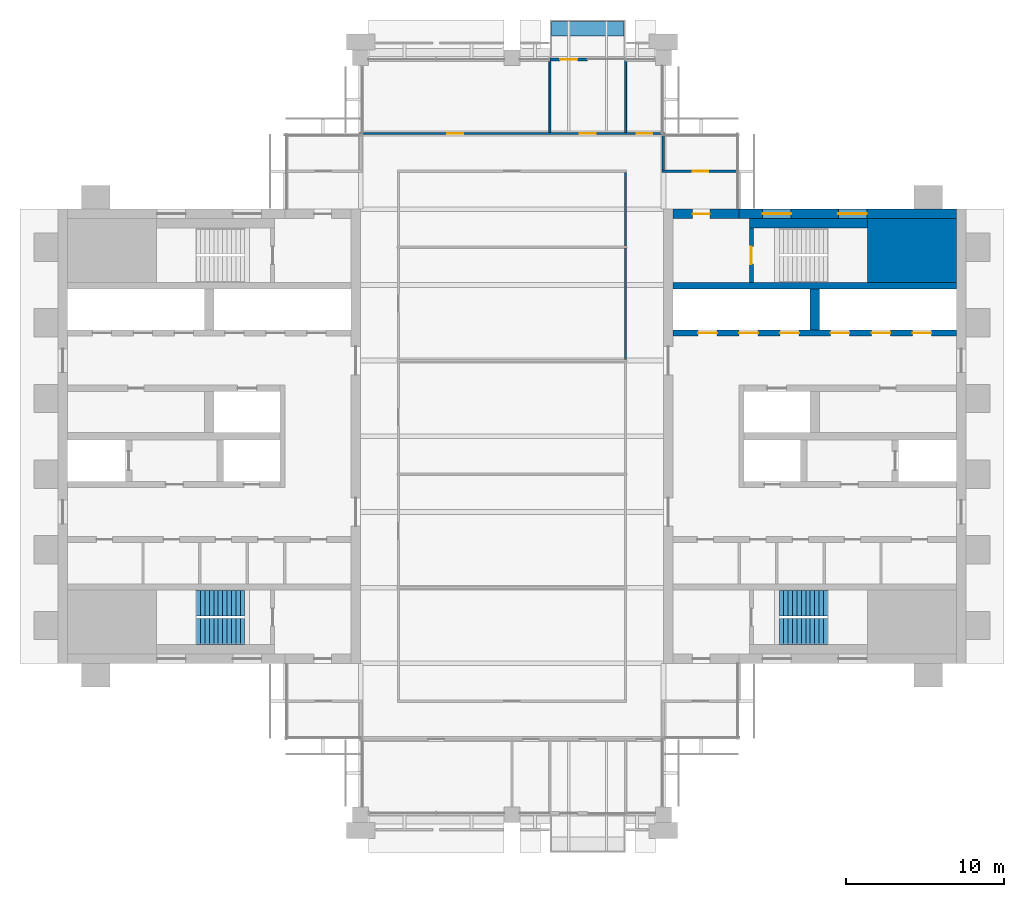
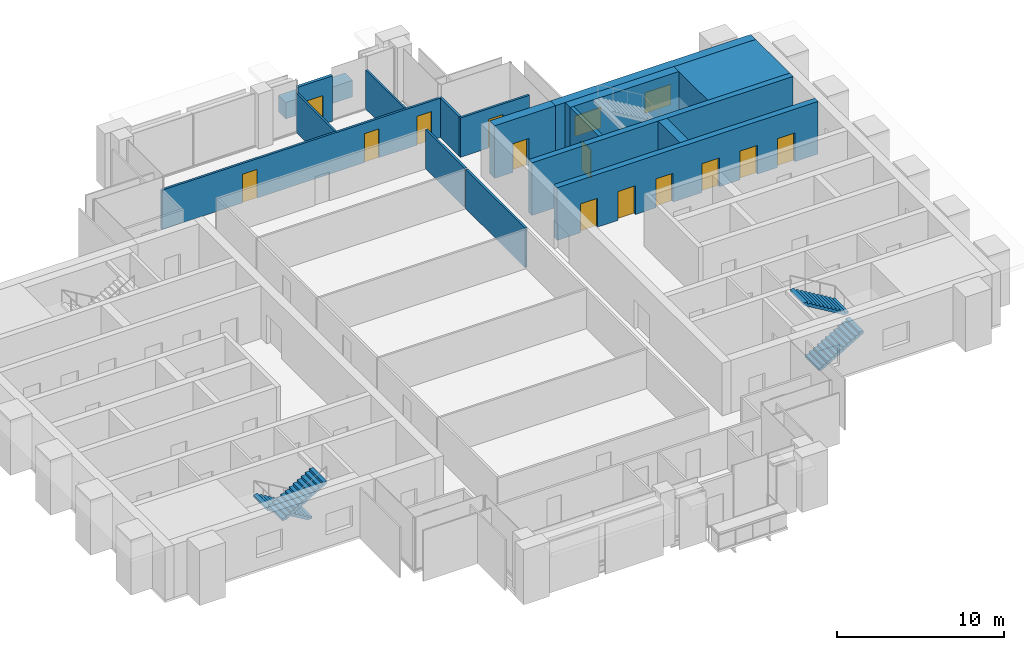
# One storey, part 11 of 13: 17 walls, 13 doors, 4 stair flights, 2 windows, 15 openings, 2 elements without a shape of their own.
"""IFC4 building model written with IfcOpenShell, lengths in metres."""

from ifc_helpers import new_model, si_unit, direction, frame, frame_2d, origin, place, context, subcontext, project, spatial, polyline, rectangle, outline, extrude, material, layer, layer_set, type_object, element, fill, aggregate, save


model = new_model("IFC4")

# Units and contexts
model_context = context("Model", 3, precision=1e-05, world=origin(), true_north=direction((0.0, 1.0)))
body_context = subcontext(model_context, "Body", "Model", "MODEL_VIEW")
ifc_project = project(units=[si_unit("LENGTHUNIT", "METRE"), si_unit("AREAUNIT", "SQUARE_METRE"), si_unit("VOLUMEUNIT", "CUBIC_METRE"), si_unit("PLANEANGLEUNIT", "RADIAN"), si_unit("MASSUNIT", "GRAM", prefix="KILO")], contexts=[model_context])

# Site, building, storey
site_placement = place(None, origin())
site = spatial("IfcSite", under=ifc_project, at=site_placement, CompositionType="ELEMENT")
building_placement = place(site_placement, origin())
building = spatial("IfcBuilding", under=site, at=building_placement, Name="Baori Bourse Tower", CompositionType="ELEMENT")
storey_placement = place(building_placement, frame((0.0, 0.0, 326.300048828125)))
storey = spatial("IfcBuildingStorey", under=building, at=storey_placement, Name="L72", CompositionType="ELEMENT", Elevation=326.300048828125)

# Wall
ifc_material_1 = material(Name="Concrete f'c 40 MPa", Category="concrete")
wall_type_1 = type_object("IfcWallType", Name="Core corner block f'c 40", PredefinedType="SHEAR", material=ifc_material_1)
wall_1_placement = place(storey_placement, frame((51.35009765625, 35.77490234375, 0.0), z_axis=(0.0, 0.0, 1.0), x_axis=(1.0, 0.0, 0.0)))
element("IfcWall", 1, at=wall_1_placement, inside=storey, type_object=wall_type_1, Name="Core wall E24", PredefinedType="SHEAR", context=body_context, shape_type="SweptSolid", body=[
    extrude(rectangle(XDim=5.64990234375, YDim=4.050048828125, at=frame_2d((2.824951171875, 0.0))), origin(), (0.0, 0.0, 1.0), 3.83984375),
])

# Wall, openings, windows
ifc_material_2 = material(Name="Concrete f'c 40 MPa", Category="concrete")
ifc_layer_1 = layer(ifc_material_2, 0.60009765625)
ifc_layer_set_1 = layer_set([ifc_layer_1], Name="Core wall 600 f'c 40")
wall_type_2 = type_object("IfcWallType", Name="Core wall 600 f'c 40", PredefinedType="SHEAR", material=ifc_layer_set_1)
wall_2_placement = place(storey_placement, frame((43.199951171875, 38.10009765625, 0.0), z_axis=(0.0, 0.0, 1.0), x_axis=(1.0, 0.0, 0.0)))
wall_2 = element("IfcWall", 2, at=wall_2_placement, inside=storey, type_object=wall_type_2, Name="Core wall E27", PredefinedType="SHEAR", context=body_context, shape_type="SweptSolid", body=[
    extrude(rectangle(XDim=13.800048828125, YDim=0.60009765625, at=frame_2d((6.89990234375, 0.0))), origin(), (0.0, 0.0, 1.0), 3.83984375),
])
opening_1_placement = place(wall_2_placement, frame((6.300048828125, 0.0, 0.89990234375)))
opening_1 = element("IfcOpeningElement", 3, at=opening_1_placement, cuts=wall_2, Name="Opening L72-KW205", PredefinedType="OPENING", context=body_context, shape_type="SweptSolid", body=[
    extrude(rectangle(XDim=1.800048828125, YDim=1.5, at=frame_2d((0.89990234375, 0.75))), frame((0.0, 0.31005859375, 0.0), z_axis=(0.0, -1.0, 0.0), x_axis=(1.0, 0.0, 0.0)), (0.0, 0.0, 1.0), 0.6201171875),
])
opening_2_placement = place(wall_2_placement, frame((1.5, 0.0, 0.89990234375)))
opening_2 = element("IfcOpeningElement", 4, at=opening_2_placement, cuts=wall_2, Name="Opening L72-KW206", PredefinedType="OPENING", context=body_context, shape_type="SweptSolid", body=[
    extrude(rectangle(XDim=1.800048828125, YDim=1.5, at=frame_2d((0.89990234375, 0.75))), frame((0.0, 0.31005859375, 0.0), z_axis=(0.0, -1.0, 0.0), x_axis=(1.0, 0.0, 0.0)), (0.0, 0.0, 1.0), 0.6201171875),
])
ifc_material_3 = material(Name="Pale anodised aluminium", Category="aluminium")
window_type = type_object("IfcWindowType", Name="Stair window 1800 x 1500", PartitioningType="SINGLE_PANEL", PredefinedType="WINDOW", material=ifc_material_3)
window_1_placement = place(opening_1_placement, origin())
window_1 = element("IfcWindow", 5, at=window_1_placement, inside=storey, type_object=window_type, Name="Stair window E L72 5", OverallHeight=1.5, OverallWidth=1.800048828125, PartitioningType="SINGLE_PANEL", PredefinedType="WINDOW", context=body_context, shape_type="SweptSolid", body=[
    extrude(rectangle(XDim=1.800048828125, YDim=1.5, at=frame_2d((0.89990234375, 0.75))), frame((0.0, 0.030029296875, 0.0), z_axis=(0.0, -1.0, 0.0), x_axis=(1.0, 0.0, 0.0)), (0.0, 0.0, 1.0), 0.06005859375),
])
fill(opening_1, window_1)
window_2_placement = place(opening_2_placement, origin())
window_2 = element("IfcWindow", 6, at=window_2_placement, inside=storey, type_object=window_type, Name="Stair window E L72 6", OverallHeight=1.5, OverallWidth=1.800048828125, PartitioningType="SINGLE_PANEL", PredefinedType="WINDOW", context=body_context, shape_type="SweptSolid", body=[
    extrude(rectangle(XDim=1.800048828125, YDim=1.5, at=frame_2d((0.89990234375, 0.75))), frame((0.0, 0.030029296875, 0.0), z_axis=(0.0, -1.0, 0.0), x_axis=(1.0, 0.0, 0.0)), (0.0, 0.0, 1.0), 0.06005859375),
])
fill(opening_2, window_2)

# Wall, opening, door
wall_3_placement = place(storey_placement, frame((39.0, 38.10009765625, 0.0), z_axis=(0.0, 0.0, 1.0), x_axis=(1.0, 0.0, 0.0)))
wall_3 = element("IfcWall", 7, at=wall_3_placement, inside=storey, type_object=wall_type_2, Name="Core wall E28", PredefinedType="SHEAR", context=body_context, shape_type="SweptSolid", body=[
    extrude(rectangle(XDim=4.199951171875, YDim=0.60009765625, at=frame_2d((2.10009765625, 0.0))), origin(), (0.0, 0.0, 1.0), 3.83984375),
])
opening_3_placement = place(wall_3_placement, frame((1.25, 0.0, 0.0)))
opening_3 = element("IfcOpeningElement", 8, at=opening_3_placement, cuts=wall_3, Name="Opening L72-D204", PredefinedType="OPENING", context=body_context, shape_type="SweptSolid", body=[
    extrude(rectangle(XDim=1.10009765625, YDim=2.10009765625, at=frame_2d((0.550048828125, 1.050048828125))), frame((0.0, 0.31005859375, 0.0), z_axis=(0.0, -1.0, 0.0), x_axis=(1.0, 0.0, 0.0)), (0.0, 0.0, 1.0), 0.6201171875),
])
ifc_material_4 = material(Name="Painted steel door", Category="steel")
door_type_1 = type_object("IfcDoorType", Name="Stair door 1100", OperationType="SINGLE_SWING_LEFT", PredefinedType="DOOR", material=ifc_material_4)
door_1_placement = place(opening_3_placement, origin())
door_1 = element("IfcDoor", 9, at=door_1_placement, inside=storey, type_object=door_type_1, Name="Stair vestibule door B E L72", OperationType="SINGLE_SWING_LEFT", OverallHeight=2.10009765625, OverallWidth=1.10009765625, PredefinedType="DOOR", context=body_context, shape_type="SweptSolid", body=[
    extrude(rectangle(XDim=1.10009765625, YDim=2.10009765625, at=frame_2d((0.550048828125, 1.050048828125))), frame((0.0, 0.02490234375, 0.0), z_axis=(0.0, -1.0, 0.0), x_axis=(1.0, 0.0, 0.0)), (0.0, 0.0, 1.0), 0.050048828125),
])
fill(opening_3, door_1)

ifc_material_5 = material(Name="Gypsum board partition")
ifc_layer_2 = layer(ifc_material_5, 0.14990234375)
ifc_layer_set_2 = layer_set([ifc_layer_2], Name="Corridor partition 150")
wall_type_3 = type_object("IfcWallType", Name="Corridor partition 150", PredefinedType="PARTITIONING", material=ifc_layer_set_2)
wall_4_placement = place(storey_placement, frame((38.324951171875, 40.800048828125, 0.0), z_axis=(0.0, 0.0, 1.0), x_axis=(1.0, 0.0, 0.0)))
wall_4 = element("IfcWall", 10, at=wall_4_placement, inside=storey, type_object=wall_type_3, Name="Partition", PredefinedType="PARTITIONING", context=body_context, shape_type="SweptSolid", body=[
    extrude(rectangle(XDim=4.775146484375, YDim=0.14990234375, at=frame_2d((2.3876953125, 0.0))), origin(), (0.0, 0.0, 1.0), 2.86962890625),
])
opening_4_placement = place(wall_4_placement, frame((1.925048828125, 0.0, 0.0)))
opening_4 = element("IfcOpeningElement", 11, at=opening_4_placement, cuts=wall_4, Name="Opening L72-D10", PredefinedType="OPENING", context=body_context, shape_type="SweptSolid", body=[
    extrude(rectangle(XDim=1.0, YDim=2.10009765625, at=frame_2d((0.5, 1.050048828125))), frame((0.0, 0.0849609375, 0.0), z_axis=(0.0, -1.0, 0.0), x_axis=(1.0, 0.0, 0.0)), (0.0, 0.0, 1.0), 0.169921875),
])
ifc_material_6 = material(Name="Timber door leaf", Category="wood")
door_type_2 = type_object("IfcDoorType", Name="Door 1000 x 2100", OperationType="SINGLE_SWING_LEFT", PredefinedType="DOOR", material=ifc_material_6)
door_2_placement = place(opening_4_placement, origin())
door_2 = element("IfcDoor", 12, at=door_2_placement, inside=storey, type_object=door_type_2, Name="Door", OperationType="SINGLE_SWING_LEFT", OverallHeight=2.10009765625, OverallWidth=1.0, PredefinedType="DOOR", context=body_context, shape_type="SweptSolid", body=[
    extrude(rectangle(XDim=1.0, YDim=2.10009765625, at=frame_2d((0.5, 1.050048828125))), frame((0.0, 0.02490234375, 0.0), z_axis=(0.0, -1.0, 0.0), x_axis=(1.0, 0.0, 0.0)), (0.0, 0.0, 1.0), 0.050048828125),
])
fill(opening_4, door_2)

# Wall, openings, doors
wall_5_placement = place(storey_placement, frame((19.125, 43.199951171875, 0.0), z_axis=(0.0, 0.0, 1.0), x_axis=(1.0, 0.0, 0.0)))
wall_5 = element("IfcWall", 13, at=wall_5_placement, inside=storey, type_object=wall_type_3, Name="Partition", PredefinedType="PARTITIONING", context=body_context, shape_type="SweptSolid", body=[
    extrude(rectangle(XDim=19.35009765625, YDim=0.14990234375, at=frame_2d((9.675048828125, 0.0))), origin(), (0.0, 0.0, 1.0), 2.86962890625),
])
opening_5_placement = place(wall_5_placement, frame((5.574951171875, 0.0, 0.0)))
opening_5 = element("IfcOpeningElement", 14, at=opening_5_placement, cuts=wall_5, Name="Opening L72-D11", PredefinedType="OPENING", context=body_context, shape_type="SweptSolid", body=[
    extrude(rectangle(XDim=1.0, YDim=2.10009765625, at=frame_2d((0.5, 1.050048828125))), frame((0.0, 0.0849609375, 0.0), z_axis=(0.0, -1.0, 0.0), x_axis=(1.0, 0.0, 0.0)), (0.0, 0.0, 1.0), 0.169921875),
])
opening_6_placement = place(wall_5_placement, frame((13.97509765625, 0.0, 0.0)))
opening_6 = element("IfcOpeningElement", 15, at=opening_6_placement, cuts=wall_5, Name="Opening L72-D12", PredefinedType="OPENING", context=body_context, shape_type="SweptSolid", body=[
    extrude(rectangle(XDim=1.0, YDim=2.10009765625, at=frame_2d((0.5, 1.050048828125))), frame((0.0, 0.0849609375, 0.0), z_axis=(0.0, -1.0, 0.0), x_axis=(1.0, 0.0, 0.0)), (0.0, 0.0, 1.0), 0.169921875),
])
opening_7_placement = place(wall_5_placement, frame((17.574951171875, 0.0, 0.0)))
opening_7 = element("IfcOpeningElement", 16, at=opening_7_placement, cuts=wall_5, Name="Opening L72-D13", PredefinedType="OPENING", context=body_context, shape_type="SweptSolid", body=[
    extrude(rectangle(XDim=1.0, YDim=2.10009765625, at=frame_2d((0.5, 1.050048828125))), frame((0.0, 0.0849609375, 0.0), z_axis=(0.0, -1.0, 0.0), x_axis=(1.0, 0.0, 0.0)), (0.0, 0.0, 1.0), 0.169921875),
])
door_3_placement = place(opening_5_placement, origin())
door_3 = element("IfcDoor", 17, at=door_3_placement, inside=storey, type_object=door_type_2, Name="Door", OperationType="SINGLE_SWING_RIGHT", OverallHeight=2.10009765625, OverallWidth=1.0, PredefinedType="DOOR", context=body_context, shape_type="SweptSolid", body=[
    extrude(rectangle(XDim=1.0, YDim=2.10009765625, at=frame_2d((0.5, 1.050048828125))), frame((0.0, 0.02490234375, 0.0), z_axis=(0.0, -1.0, 0.0), x_axis=(1.0, 0.0, 0.0)), (0.0, 0.0, 1.0), 0.050048828125),
])
fill(opening_5, door_3)
door_4_placement = place(opening_6_placement, origin())
door_4 = element("IfcDoor", 18, at=door_4_placement, inside=storey, type_object=door_type_2, Name="Door", OperationType="SINGLE_SWING_LEFT", OverallHeight=2.10009765625, OverallWidth=1.0, PredefinedType="DOOR", context=body_context, shape_type="SweptSolid", body=[
    extrude(rectangle(XDim=1.0, YDim=2.10009765625, at=frame_2d((0.5, 1.050048828125))), frame((0.0, 0.02490234375, 0.0), z_axis=(0.0, -1.0, 0.0), x_axis=(1.0, 0.0, 0.0)), (0.0, 0.0, 1.0), 0.050048828125),
])
fill(opening_6, door_4)
door_5_placement = place(opening_7_placement, origin())
door_5 = element("IfcDoor", 19, at=door_5_placement, inside=storey, type_object=door_type_2, Name="Door", OperationType="SINGLE_SWING_LEFT", OverallHeight=2.10009765625, OverallWidth=1.0, PredefinedType="DOOR", context=body_context, shape_type="SweptSolid", body=[
    extrude(rectangle(XDim=1.0, YDim=2.10009765625, at=frame_2d((0.5, 1.050048828125))), frame((0.0, 0.02490234375, 0.0), z_axis=(0.0, -1.0, 0.0), x_axis=(1.0, 0.0, 0.0)), (0.0, 0.0, 1.0), 0.050048828125),
])
fill(opening_7, door_5)

# Walls
wall_6_placement = place(storey_placement, frame((36.0, 28.862548828125, 0.0), z_axis=(0.0, 0.0, 1.0), x_axis=(0.0, 1.0, 0.0)))
element("IfcWall", 20, at=wall_6_placement, inside=storey, type_object=wall_type_3, Name="Partition", PredefinedType="PARTITIONING", context=body_context, shape_type="SweptSolid", body=[
    extrude(rectangle(XDim=7.074951171875, YDim=0.14990234375, at=frame_2d((3.53759765625, 0.0))), origin(), (0.0, 0.0, 1.0), 2.86962890625),
])
wall_7_placement = place(storey_placement, frame((36.0, 36.0625, 0.0), z_axis=(0.0, 0.0, 1.0), x_axis=(0.0, 1.0, 0.0)))
element("IfcWall", 21, at=wall_7_placement, inside=storey, type_object=wall_type_3, Name="Partition", PredefinedType="PARTITIONING", context=body_context, shape_type="SweptSolid", body=[
    extrude(rectangle(XDim=4.66259765625, YDim=0.14990234375, at=frame_2d((2.331298828125, 0.0))), origin(), (0.0, 0.0, 1.0), 2.86962890625),
])
wall_8_placement = place(storey_placement, frame((38.39990234375, 40.875, 0.0), z_axis=(0.0, 0.0, 1.0), x_axis=(0.0, 1.0, 0.0)))
element("IfcWall", 22, at=wall_8_placement, inside=storey, type_object=wall_type_3, Name="Partition", PredefinedType="PARTITIONING", context=body_context, shape_type="SweptSolid", body=[
    extrude(rectangle(XDim=2.25, YDim=0.14990234375, at=frame_2d((1.125, 0.0))), origin(), (0.0, 0.0, 1.0), 2.86962890625),
])

# Wall, opening, door
ifc_material_7 = material(Name="Pale anodised aluminium", Category="aluminium")
ifc_layer_3 = layer(ifc_material_7, 0.199951171875)
ifc_layer_set_3 = layer_set([ifc_layer_3], Name="EW1 External wall bay")
wall_type_4 = type_object("IfcWallType", Name="EW1 External wall bay", PredefinedType="SOLIDWALL", material=ifc_layer_set_3)
wall_9_placement = place(storey_placement, frame((33.60009765625, 47.89990234375, 0.0), z_axis=(0.0, 0.0, 1.0), x_axis=(-1.0, 0.0, 0.0)))
wall_9 = element("IfcWall", 23, at=wall_9_placement, inside=storey, type_object=wall_type_4, Name="External wall bay L72 1", PredefinedType="SOLIDWALL", context=body_context, shape_type="SweptSolid", body=[
    extrude(rectangle(XDim=2.400146484375, YDim=0.199951171875, at=frame_2d((1.2001953125, 0.0))), origin(), (0.0, 0.0, 1.0), 3.314208984375),
])
opening_8_placement = place(wall_9_placement, frame((0.64990234375, 0.0, 0.0)))
opening_8 = element("IfcOpeningElement", 24, at=opening_8_placement, cuts=wall_9, Name="Opening L72-D91", PredefinedType="OPENING", context=body_context, shape_type="SweptSolid", body=[
    extrude(rectangle(XDim=1.10009765625, YDim=2.10009765625, at=frame_2d((0.550048828125, 1.050048828125))), frame((0.0, 0.10986328125, 0.0), z_axis=(0.0, -1.0, 0.0), x_axis=(1.0, 0.0, 0.0)), (0.0, 0.0, 1.0), 0.219970703125),
])
ifc_material_8 = material(Name="Pale anodised aluminium", Category="aluminium")
door_type_3 = type_object("IfcDoorType", Name="BL1 Balcony door", OperationType="SINGLE_SWING_LEFT", PredefinedType="DOOR", material=ifc_material_8)
door_6_placement = place(opening_8_placement, origin())
door_6 = element("IfcDoor", 25, at=door_6_placement, inside=storey, type_object=door_type_3, Name="Balcony door L72 1", OperationType="SINGLE_SWING_LEFT", OverallHeight=2.10009765625, OverallWidth=1.10009765625, PredefinedType="DOOR", context=body_context, shape_type="SweptSolid", body=[
    extrude(rectangle(XDim=1.10009765625, YDim=2.10009765625, at=frame_2d((0.550048828125, 1.050048828125))), frame((0.0, 0.02490234375, 0.0), z_axis=(0.0, -1.0, 0.0), x_axis=(1.0, 0.0, 0.0)), (0.0, 0.0, 1.0), 0.050048828125),
])
fill(opening_8, door_6)

# Walls
ifc_material_9 = material(Name="Concrete f'c 40 MPa", Category="concrete")
ifc_layer_4 = layer(ifc_material_9, 0.89990234375)
ifc_layer_set_4 = layer_set([ifc_layer_4], Name="PW1 Planter wall")
wall_type_5 = type_object("IfcWallType", Name="PW1 Planter wall", PredefinedType="USERDEFINED", material=ifc_layer_set_4)
wall_10_placement = place(storey_placement, frame((31.300048828125, 49.85009765625, 0.0), z_axis=(0.0, 0.0, 1.0), x_axis=(1.0, 0.0, 0.0)))
element("IfcWall", 26, at=wall_10_placement, inside=storey, type_object=wall_type_5, Name="Planter balcony N L72 2", ObjectType="PLANTER", PredefinedType="USERDEFINED", context=body_context, shape_type="SweptSolid", body=[
    extrude(rectangle(XDim=4.599853515625, YDim=0.89990234375, at=frame_2d((2.2998046875, 0.0))), origin(), (0.0, 0.0, 1.0), 1.199951171875),
])
ifc_material_10 = material(Name="Gypsum board partition")
ifc_layer_5 = layer(ifc_material_10, 0.125)
ifc_layer_set_5 = layer_set([ifc_layer_5], Name="Partition 125")
wall_type_6 = type_object("IfcWallType", Name="Partition 125", PredefinedType="PARTITIONING", material=ifc_layer_set_5)
for number, where, z_axis, x_axis, name in (
    (27, (31.199951171875, 43.27490234375, 0.0), (0.0, 0.0, 1.0), (0.0, 1.0, 0.0), "Partition"),
    (28, (36.0, 43.27490234375, 0.0), (0.0, 0.0, 1.0), (0.0, 1.0, 0.0), "Partition"),
):
    element("IfcWall", number, at=place(storey_placement, frame(where, z_axis=z_axis, x_axis=x_axis)), inside=storey, type_object=wall_type_6, Name=name, PredefinedType="PARTITIONING", context=body_context, shape_type="SweptSolid", body=[
        extrude(rectangle(XDim=4.625, YDim=0.125, at=frame_2d((2.3125, 0.0))), origin(), (0.0, 0.0, 1.0), 2.86962890625),
    ])

# Wall, opening, door
ifc_material_11 = material(Name="Concrete f'c 40 MPa", Category="concrete")
ifc_layer_6 = layer(ifc_material_11, 0.25)
ifc_layer_set_6 = layer_set([ifc_layer_6], Name="Shaft wall 250 f'c 40")
wall_type_7 = type_object("IfcWallType", Name="Shaft wall 250 f'c 40", PredefinedType="SHEAR", material=ifc_layer_set_6)
wall_11_placement = place(storey_placement, frame((43.97509765625, 33.75, 0.0), z_axis=(0.0, 0.0, 1.0), x_axis=(0.0, 1.0, 0.0)))
wall_11 = element("IfcWall", 29, at=wall_11_placement, inside=storey, type_object=wall_type_7, Name="Core wall E25", PredefinedType="SHEAR", context=body_context, shape_type="SweptSolid", body=[
    extrude(rectangle(XDim=3.449951171875, YDim=0.25, at=frame_2d((1.72509765625, 0.0))), origin(), (0.0, 0.0, 1.0), 3.83984375),
])
opening_9_placement = place(wall_11_placement, frame((1.175048828125, 0.0, 0.0)))
opening_9 = element("IfcOpeningElement", 30, at=opening_9_placement, cuts=wall_11, Name="Opening L72-D203", PredefinedType="OPENING", context=body_context, shape_type="SweptSolid", body=[
    extrude(rectangle(XDim=1.10009765625, YDim=2.10009765625, at=frame_2d((0.550048828125, 1.050048828125))), frame((0.0, 0.135009765625, 0.0), z_axis=(0.0, -1.0, 0.0), x_axis=(1.0, 0.0, 0.0)), (0.0, 0.0, 1.0), 0.27001953125),
])
door_7_placement = place(opening_9_placement, origin())
door_7 = element("IfcDoor", 31, at=door_7_placement, inside=storey, type_object=door_type_1, Name="Stair door B E L72", OperationType="SINGLE_SWING_LEFT", OverallHeight=2.10009765625, OverallWidth=1.10009765625, PredefinedType="DOOR", context=body_context, shape_type="SweptSolid", body=[
    extrude(rectangle(XDim=1.10009765625, YDim=2.10009765625, at=frame_2d((0.550048828125, 1.050048828125))), frame((0.0, 0.02490234375, 0.0), z_axis=(0.0, -1.0, 0.0), x_axis=(1.0, 0.0, 0.0)), (0.0, 0.0, 1.0), 0.050048828125),
])
fill(opening_9, door_7)

# Wall, openings, doors
ifc_material_12 = material(Name="Concrete f'c 40 MPa", Category="concrete")
ifc_layer_7 = layer(ifc_material_12, 0.39990234375)
ifc_layer_set_7 = layer_set([ifc_layer_7], Name="Shaft wall 400 f'c 40")
wall_type_8 = type_object("IfcWallType", Name="Shaft wall 400 f'c 40", PredefinedType="SHEAR", material=ifc_layer_set_7)
wall_12_placement = place(storey_placement, frame((39.0, 30.550048828125, 0.0), z_axis=(0.0, 0.0, 1.0), x_axis=(1.0, 0.0, 0.0)))
wall_12 = element("IfcWall", 32, at=wall_12_placement, inside=storey, type_object=wall_type_8, Name="Core wall E21", PredefinedType="SHEAR", context=body_context, shape_type="SweptSolid", body=[
    extrude(rectangle(XDim=18.0, YDim=0.39990234375, at=frame_2d((9.0, 0.0))), origin(), (0.0, 0.0, 1.0), 3.83984375),
])
opening_10_placement = place(wall_12_placement, frame((15.199951171875, 0.0, 0.0)))
opening_10 = element("IfcOpeningElement", 33, at=opening_10_placement, cuts=wall_12, Name="Opening L72-D215", PredefinedType="OPENING", context=body_context, shape_type="SweptSolid", body=[
    extrude(rectangle(XDim=1.199951171875, YDim=2.10009765625, at=frame_2d((0.60009765625, 1.050048828125))), frame((0.0, 0.2099609375, 0.0), z_axis=(0.0, -1.0, 0.0), x_axis=(1.0, 0.0, 0.0)), (0.0, 0.0, 1.0), 0.419921875),
])
opening_11_placement = place(wall_12_placement, frame((12.60009765625, 0.0, 0.0)))
opening_11 = element("IfcOpeningElement", 34, at=opening_11_placement, cuts=wall_12, Name="Opening L72-D216", PredefinedType="OPENING", context=body_context, shape_type="SweptSolid", body=[
    extrude(rectangle(XDim=1.199951171875, YDim=2.10009765625, at=frame_2d((0.60009765625, 1.050048828125))), frame((0.0, 0.2099609375, 0.0), z_axis=(0.0, -1.0, 0.0), x_axis=(1.0, 0.0, 0.0)), (0.0, 0.0, 1.0), 0.419921875),
])
opening_12_placement = place(wall_12_placement, frame((10.0, 0.0, 0.0)))
opening_12 = element("IfcOpeningElement", 35, at=opening_12_placement, cuts=wall_12, Name="Opening L72-D217", PredefinedType="OPENING", context=body_context, shape_type="SweptSolid", body=[
    extrude(rectangle(XDim=1.199951171875, YDim=2.10009765625, at=frame_2d((0.60009765625, 1.050048828125))), frame((0.0, 0.2099609375, 0.0), z_axis=(0.0, -1.0, 0.0), x_axis=(1.0, 0.0, 0.0)), (0.0, 0.0, 1.0), 0.419921875),
])
opening_13_placement = place(wall_12_placement, frame((6.800048828125, 0.0, 0.0)))
opening_13 = element("IfcOpeningElement", 36, at=opening_13_placement, cuts=wall_12, Name="Opening L72-D218", PredefinedType="OPENING", context=body_context, shape_type="SweptSolid", body=[
    extrude(rectangle(XDim=1.199951171875, YDim=2.10009765625, at=frame_2d((0.60009765625, 1.050048828125))), frame((0.0, 0.2099609375, 0.0), z_axis=(0.0, -1.0, 0.0), x_axis=(1.0, 0.0, 0.0)), (0.0, 0.0, 1.0), 0.419921875),
])
opening_14_placement = place(wall_12_placement, frame((4.199951171875, 0.0, 0.0)))
opening_14 = element("IfcOpeningElement", 37, at=opening_14_placement, cuts=wall_12, Name="Opening L72-D219", PredefinedType="OPENING", context=body_context, shape_type="SweptSolid", body=[
    extrude(rectangle(XDim=1.199951171875, YDim=2.10009765625, at=frame_2d((0.60009765625, 1.050048828125))), frame((0.0, 0.2099609375, 0.0), z_axis=(0.0, -1.0, 0.0), x_axis=(1.0, 0.0, 0.0)), (0.0, 0.0, 1.0), 0.419921875),
])
opening_15_placement = place(wall_12_placement, frame((1.60009765625, 0.0, 0.0)))
opening_15 = element("IfcOpeningElement", 38, at=opening_15_placement, cuts=wall_12, Name="Opening L72-D220", PredefinedType="OPENING", context=body_context, shape_type="SweptSolid", body=[
    extrude(rectangle(XDim=1.199951171875, YDim=2.10009765625, at=frame_2d((0.60009765625, 1.050048828125))), frame((0.0, 0.2099609375, 0.0), z_axis=(0.0, -1.0, 0.0), x_axis=(1.0, 0.0, 0.0)), (0.0, 0.0, 1.0), 0.419921875),
])
ifc_material_13 = material(Name="Stainless steel door", Category="steel")
door_type_4 = type_object("IfcDoorType", Name="Lift landing door", OperationType="DOUBLE_DOOR_SLIDING", PredefinedType="DOOR", material=ifc_material_13)
door_8_placement = place(opening_10_placement, origin())
door_8 = element("IfcDoor", 39, at=door_8_placement, inside=storey, type_object=door_type_4, Name="Lift landing door HR1 E L72", OperationType="DOUBLE_DOOR_SLIDING", OverallHeight=2.10009765625, OverallWidth=1.199951171875, PredefinedType="DOOR", context=body_context, shape_type="SweptSolid", body=[
    extrude(rectangle(XDim=1.199951171875, YDim=2.10009765625, at=frame_2d((0.60009765625, 1.050048828125))), frame((0.0, 0.02490234375, 0.0), z_axis=(0.0, -1.0, 0.0), x_axis=(1.0, 0.0, 0.0)), (0.0, 0.0, 1.0), 0.050048828125),
])
fill(opening_10, door_8)
door_9_placement = place(opening_11_placement, origin())
door_9 = element("IfcDoor", 40, at=door_9_placement, inside=storey, type_object=door_type_4, Name="Lift landing door HR2 E L72", OperationType="DOUBLE_DOOR_SLIDING", OverallHeight=2.10009765625, OverallWidth=1.199951171875, PredefinedType="DOOR", context=body_context, shape_type="SweptSolid", body=[
    extrude(rectangle(XDim=1.199951171875, YDim=2.10009765625, at=frame_2d((0.60009765625, 1.050048828125))), frame((0.0, 0.02490234375, 0.0), z_axis=(0.0, -1.0, 0.0), x_axis=(1.0, 0.0, 0.0)), (0.0, 0.0, 1.0), 0.050048828125),
])
fill(opening_11, door_9)
door_10_placement = place(opening_12_placement, origin())
door_10 = element("IfcDoor", 41, at=door_10_placement, inside=storey, type_object=door_type_4, Name="Lift landing door HR3 E L72", OperationType="DOUBLE_DOOR_SLIDING", OverallHeight=2.10009765625, OverallWidth=1.199951171875, PredefinedType="DOOR", context=body_context, shape_type="SweptSolid", body=[
    extrude(rectangle(XDim=1.199951171875, YDim=2.10009765625, at=frame_2d((0.60009765625, 1.050048828125))), frame((0.0, 0.02490234375, 0.0), z_axis=(0.0, -1.0, 0.0), x_axis=(1.0, 0.0, 0.0)), (0.0, 0.0, 1.0), 0.050048828125),
])
fill(opening_12, door_10)
door_11_placement = place(opening_13_placement, origin())
door_11 = element("IfcDoor", 42, at=door_11_placement, inside=storey, type_object=door_type_4, Name="Lift landing door HR4 E L72", OperationType="DOUBLE_DOOR_SLIDING", OverallHeight=2.10009765625, OverallWidth=1.199951171875, PredefinedType="DOOR", context=body_context, shape_type="SweptSolid", body=[
    extrude(rectangle(XDim=1.199951171875, YDim=2.10009765625, at=frame_2d((0.60009765625, 1.050048828125))), frame((0.0, 0.02490234375, 0.0), z_axis=(0.0, -1.0, 0.0), x_axis=(1.0, 0.0, 0.0)), (0.0, 0.0, 1.0), 0.050048828125),
])
fill(opening_13, door_11)
door_12_placement = place(opening_14_placement, origin())
door_12 = element("IfcDoor", 43, at=door_12_placement, inside=storey, type_object=door_type_4, Name="Lift landing door HR5 E L72", OperationType="DOUBLE_DOOR_SLIDING", OverallHeight=2.10009765625, OverallWidth=1.199951171875, PredefinedType="DOOR", context=body_context, shape_type="SweptSolid", body=[
    extrude(rectangle(XDim=1.199951171875, YDim=2.10009765625, at=frame_2d((0.60009765625, 1.050048828125))), frame((0.0, 0.02490234375, 0.0), z_axis=(0.0, -1.0, 0.0), x_axis=(1.0, 0.0, 0.0)), (0.0, 0.0, 1.0), 0.050048828125),
])
fill(opening_14, door_12)
door_13_placement = place(opening_15_placement, origin())
door_13 = element("IfcDoor", 44, at=door_13_placement, inside=storey, type_object=door_type_4, Name="Lift landing door HR6 E L72", OperationType="DOUBLE_DOOR_SLIDING", OverallHeight=2.10009765625, OverallWidth=1.199951171875, PredefinedType="DOOR", context=body_context, shape_type="SweptSolid", body=[
    extrude(rectangle(XDim=1.199951171875, YDim=2.10009765625, at=frame_2d((0.60009765625, 1.050048828125))), frame((0.0, 0.02490234375, 0.0), z_axis=(0.0, -1.0, 0.0), x_axis=(1.0, 0.0, 0.0)), (0.0, 0.0, 1.0), 0.050048828125),
])
fill(opening_15, door_13)

# Walls
wall_13_placement = place(storey_placement, frame((39.0, 33.550048828125, 0.0), z_axis=(0.0, 0.0, 1.0), x_axis=(1.0, 0.0, 0.0)))
element("IfcWall", 45, at=wall_13_placement, inside=storey, type_object=wall_type_8, Name="Core wall E23", PredefinedType="SHEAR", context=body_context, shape_type="SweptSolid", body=[
    extrude(rectangle(XDim=18.0, YDim=0.39990234375, at=frame_2d((9.0, 0.0))), origin(), (0.0, 0.0, 1.0), 3.83984375),
])
ifc_material_14 = material(Name="Concrete f'c 40 MPa", Category="concrete")
ifc_layer_8 = layer(ifc_material_14, 0.60009765625)
ifc_layer_set_8 = layer_set([ifc_layer_8], Name="Shaft wall 600 f'c 40")
wall_type_9 = type_object("IfcWallType", Name="Shaft wall 600 f'c 40", PredefinedType="SHEAR", material=ifc_layer_set_8)
wall_14_placement = place(storey_placement, frame((48.0, 30.75, 0.0), z_axis=(0.0, 0.0, 1.0), x_axis=(0.0, 1.0, 0.0)))
element("IfcWall", 46, at=wall_14_placement, inside=storey, type_object=wall_type_9, Name="Core wall E22", PredefinedType="SHEAR", context=body_context, shape_type="SweptSolid", body=[
    extrude(rectangle(XDim=2.60009765625, YDim=0.60009765625, at=frame_2d((1.300048828125, 0.0))), origin(), (0.0, 0.0, 1.0), 3.83984375),
])
wall_15_placement = place(storey_placement, frame((43.85009765625, 37.5, 0.0), z_axis=(0.0, 0.0, 1.0), x_axis=(1.0, 0.0, 0.0)))
element("IfcWall", 47, at=wall_15_placement, inside=storey, type_object=wall_type_9, Name="Core wall E26", PredefinedType="SHEAR", context=body_context, shape_type="SweptSolid", body=[
    extrude(rectangle(XDim=7.5, YDim=0.60009765625, at=frame_2d((3.75, 0.0))), origin(), (0.0, 0.0, 1.0), 3.83984375),
])

# Stair, stair flights
ifc_material_15 = material(Name="Concrete f'c 50 MPa", Category="concrete")
stair_type = type_object("IfcStairType", Name="Core stair", PredefinedType="HALF_TURN_STAIR", material=ifc_material_15)
stair_1_placement = place(storey_placement, origin())
stair_1 = element("IfcStair", 48, at=stair_1_placement, inside=storey, type_object=stair_type, Name="L72 Stair WA", PredefinedType="HALF_TURN_STAIR")
ifc_material_16 = material(Name="Concrete f'c 50 MPa", Category="concrete")
stair_flight_type = type_object("IfcStairFlightType", Name="Core stair flight", PredefinedType="STRAIGHT", material=ifc_material_16)
stair_flight_1_placement = place(storey_placement, frame((11.85009765625, 13.425048828125, 0.0), z_axis=(0.0, 0.0, 1.0), x_axis=(-1.0, 0.0, 0.0)))
stair_flight_1 = element("IfcStairFlight", 49, at=stair_flight_1_placement, type_object=stair_flight_type, Name="ST1 flight 1", NumberOfRisers=12, NumberOfTreads=11, PredefinedType="STRAIGHT", RiserHeight=0.166666667, TreadLength=0.28, context=body_context, shape_type="SweptSolid", body=[
    extrude(outline(polyline([(0.0, 0.0), (0.0, 0.166748046875), (0.280029296875, 0.166748046875), (0.280029296875, 0.333251953125), (0.56005859375, 0.333251953125), (0.56005859375, 0.5), (0.840087890625, 0.5), (0.840087890625, 0.666748046875), (1.1201171875, 0.666748046875), (1.1201171875, 0.833251953125), (1.39990234375, 0.833251953125), (1.39990234375, 1.0), (1.679931640625, 1.0), (1.679931640625, 1.166748046875), (1.9599609375, 1.166748046875), (1.9599609375, 1.333251953125), (2.239990234375, 1.333251953125), (2.239990234375, 1.5), (2.52001953125, 1.5), (2.52001953125, 1.666748046875), (2.800048828125, 1.666748046875), (2.800048828125, 1.833251953125), (3.080078125, 1.833251953125), (3.080078125, 2.0), (3.080078125, 1.658935546875), (0.29296875, 0.0), (0.0, 0.0)])), frame((0.0, 0.824951171875, 0.0), z_axis=(0.0, -1.0, 0.0), x_axis=(1.0, 0.0, 0.0)), (0.0, 0.0, 1.0), 1.64990234375),
])
stair_flight_2_placement = place(storey_placement, frame((8.77001953125, 11.625, 2.0), z_axis=(0.0, 0.0, 1.0), x_axis=(1.0, 0.0, 0.0)))
stair_flight_2 = element("IfcStairFlight", 50, at=stair_flight_2_placement, type_object=stair_flight_type, Name="ST1 flight 2", NumberOfRisers=12, NumberOfTreads=11, PredefinedType="STRAIGHT", RiserHeight=0.166666667, TreadLength=0.28, context=body_context, shape_type="SweptSolid", body=[
    extrude(outline(polyline([(0.0, 0.0), (0.0, 0.166748046875), (0.280029296875, 0.166748046875), (0.280029296875, 0.333251953125), (0.56005859375, 0.333251953125), (0.56005859375, 0.5), (0.840087890625, 0.5), (0.840087890625, 0.666748046875), (1.1201171875, 0.666748046875), (1.1201171875, 0.833251953125), (1.39990234375, 0.833251953125), (1.39990234375, 1.0), (1.679931640625, 1.0), (1.679931640625, 1.166748046875), (1.9599609375, 1.166748046875), (1.9599609375, 1.333251953125), (2.239990234375, 1.333251953125), (2.239990234375, 1.5), (2.52001953125, 1.5), (2.52001953125, 1.666748046875), (2.800048828125, 1.666748046875), (2.800048828125, 1.833251953125), (3.080078125, 1.833251953125), (3.080078125, 2.0), (3.080078125, 1.658935546875), (0.29296875, 0.0), (0.0, 0.0)])), frame((0.0, 0.824951171875, 0.0), z_axis=(0.0, -1.0, 0.0), x_axis=(1.0, 0.0, 0.0)), (0.0, 0.0, 1.0), 1.64990234375),
])
aggregate(stair_1, [stair_flight_1, stair_flight_2])

stair_2_placement = place(storey_placement, origin())
stair_2 = element("IfcStair", 51, at=stair_2_placement, inside=storey, type_object=stair_type, Name="L72 Stair EA", PredefinedType="HALF_TURN_STAIR")
stair_flight_3_placement = place(storey_placement, frame((45.75, 11.625, 0.0), z_axis=(0.0, 0.0, 1.0), x_axis=(1.0, 0.0, 0.0)))
stair_flight_3 = element("IfcStairFlight", 52, at=stair_flight_3_placement, type_object=stair_flight_type, Name="ST3 flight 1", NumberOfRisers=12, NumberOfTreads=11, PredefinedType="STRAIGHT", RiserHeight=0.166666667, TreadLength=0.28, context=body_context, shape_type="SweptSolid", body=[
    extrude(outline(polyline([(0.0, 0.0), (0.0, 0.166748046875), (0.280029296875, 0.166748046875), (0.280029296875, 0.333251953125), (0.56005859375, 0.333251953125), (0.56005859375, 0.5), (0.840087890625, 0.5), (0.840087890625, 0.666748046875), (1.1201171875, 0.666748046875), (1.1201171875, 0.833251953125), (1.39990234375, 0.833251953125), (1.39990234375, 1.0), (1.679931640625, 1.0), (1.679931640625, 1.166748046875), (1.9599609375, 1.166748046875), (1.9599609375, 1.333251953125), (2.239990234375, 1.333251953125), (2.239990234375, 1.5), (2.52001953125, 1.5), (2.52001953125, 1.666748046875), (2.800048828125, 1.666748046875), (2.800048828125, 1.833251953125), (3.080078125, 1.833251953125), (3.080078125, 2.0), (3.080078125, 1.658935546875), (0.29296875, 0.0), (0.0, 0.0)])), frame((0.0, 0.824951171875, 0.0), z_axis=(0.0, -1.0, 0.0), x_axis=(1.0, 0.0, 0.0)), (0.0, 0.0, 1.0), 1.64990234375),
])
stair_flight_4_placement = place(storey_placement, frame((48.830078125, 13.425048828125, 2.0), z_axis=(0.0, 0.0, 1.0), x_axis=(-1.0, 0.0, 0.0)))
stair_flight_4 = element("IfcStairFlight", 53, at=stair_flight_4_placement, type_object=stair_flight_type, Name="ST3 flight 2", NumberOfRisers=12, NumberOfTreads=11, PredefinedType="STRAIGHT", RiserHeight=0.166666667, TreadLength=0.28, context=body_context, shape_type="SweptSolid", body=[
    extrude(outline(polyline([(0.0, 0.0), (0.0, 0.166748046875), (0.280029296875, 0.166748046875), (0.280029296875, 0.333251953125), (0.56005859375, 0.333251953125), (0.56005859375, 0.5), (0.840087890625, 0.5), (0.840087890625, 0.666748046875), (1.1201171875, 0.666748046875), (1.1201171875, 0.833251953125), (1.39990234375, 0.833251953125), (1.39990234375, 1.0), (1.679931640625, 1.0), (1.679931640625, 1.166748046875), (1.9599609375, 1.166748046875), (1.9599609375, 1.333251953125), (2.239990234375, 1.333251953125), (2.239990234375, 1.5), (2.52001953125, 1.5), (2.52001953125, 1.666748046875), (2.800048828125, 1.666748046875), (2.800048828125, 1.833251953125), (3.080078125, 1.833251953125), (3.080078125, 2.0), (3.080078125, 1.658935546875), (0.29296875, 0.0), (0.0, 0.0)])), frame((0.0, 0.824951171875, 0.0), z_axis=(0.0, -1.0, 0.0), x_axis=(1.0, 0.0, 0.0)), (0.0, 0.0, 1.0), 1.64990234375),
])
aggregate(stair_2, [stair_flight_3, stair_flight_4])

save(model, "model.ifc")
